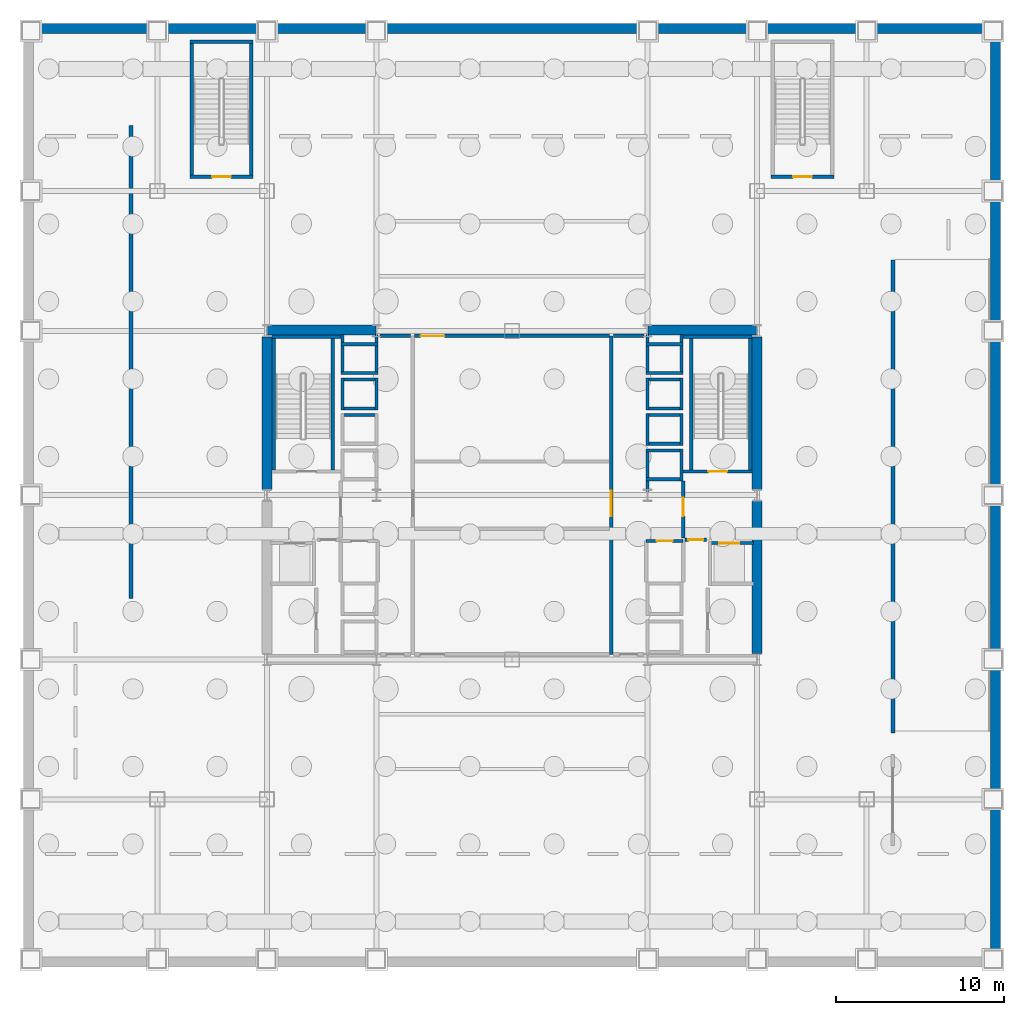
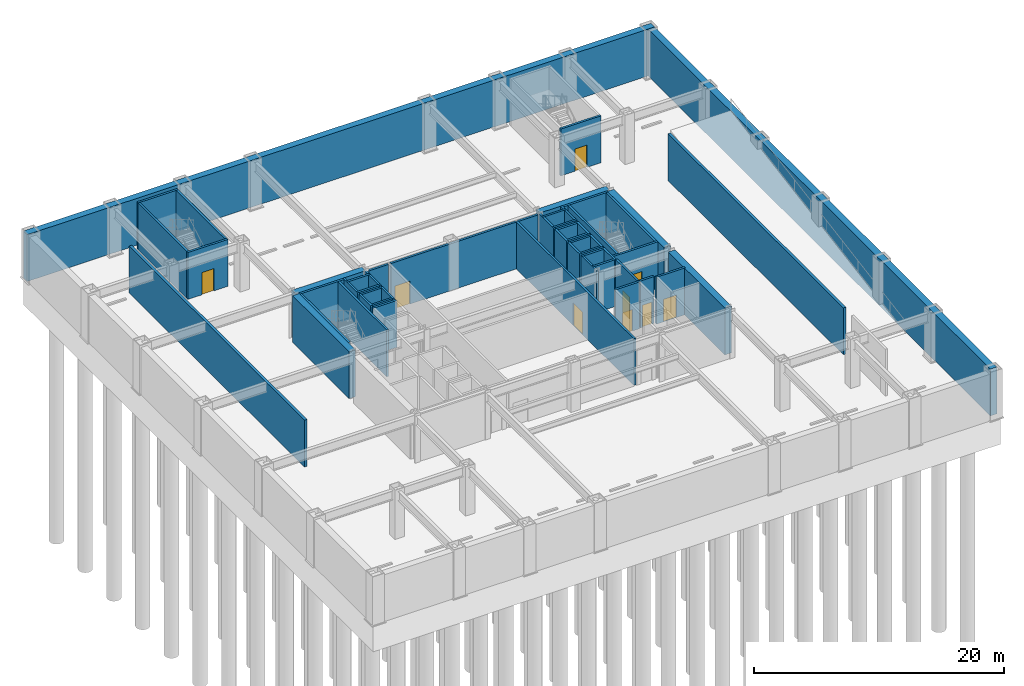
# One storey, part 4 of 8: 54 walls, 9 doors, 9 openings.
"""IFC4 building model written with IfcOpenShell, lengths in metres."""

from ifc_helpers import new_model, si_unit, direction, frame, frame_2d, origin, place, context, subcontext, project, spatial, rectangle, extrude, material, layer, layer_set, type_object, element, fill, save


model = new_model("IFC4")

# Units and contexts
model_context = context("Model", 3, precision=1e-05, world=origin(), true_north=direction((0.0, 1.0)))
body_context = subcontext(model_context, "Body", "Model", "MODEL_VIEW")
ifc_project = project(units=[si_unit("LENGTHUNIT", "METRE"), si_unit("AREAUNIT", "SQUARE_METRE"), si_unit("VOLUMEUNIT", "CUBIC_METRE"), si_unit("PLANEANGLEUNIT", "RADIAN"), si_unit("MASSUNIT", "GRAM", prefix="KILO")], contexts=[model_context])

# Site, building, storey
site_placement = place(None, origin())
site = spatial("IfcSite", under=ifc_project, at=site_placement, CompositionType="ELEMENT")
building_placement = place(site_placement, origin())
building = spatial("IfcBuilding", under=site, at=building_placement, Name="Brelmoor Portico Tower", CompositionType="ELEMENT")
storey_placement = place(building_placement, frame((0.0, 0.0, -9.60009765625)))
storey = spatial("IfcBuildingStorey", under=building, at=storey_placement, Name="B2", CompositionType="ELEMENT", Elevation=-9.60009765625)

# Walls
ifc_material_1 = material(Name="Concrete C60", Category="concrete")
ifc_layer_1 = layer(ifc_material_1, 0.60009765625)
ifc_layer_set_1 = layer_set([ifc_layer_1], Name="Concrete C60")
wall_type_1 = type_object("IfcWallType", Name="WL-CORE-600", PredefinedType="SHEAR", material=ifc_layer_set_1)
wall_1_placement = place(storey_placement, frame((-14.530029296875, 9.800048828125, 0.0), z_axis=(0.0, 0.0, 1.0), x_axis=(1.0, 0.0, 0.0)))
element("IfcWall", 1, at=wall_1_placement, inside=storey, type_object=wall_type_1, Name="B2 WC North Shear Wall", PredefinedType="SHEAR", context=body_context, shape_type="SweptSolid", body=[
    extrude(rectangle(XDim=6.4599609375, YDim=0.60009765625, at=frame_2d((3.22998046875, 0.0))), origin(), (0.0, 0.0, 1.0), 4.580078125),
])
wall_2_placement = place(storey_placement, frame((-14.550048828125, 0.35009765625, 0.0), z_axis=(0.0, 0.0, 1.0), x_axis=(0.0, 1.0, 0.0)))
element("IfcWall", 2, at=wall_2_placement, inside=storey, type_object=wall_type_1, Name="B2 WC Outer North Shear Wall", PredefinedType="SHEAR", context=body_context, shape_type="SweptSolid", body=[
    extrude(rectangle(XDim=9.0498046875, YDim=0.60009765625, at=frame_2d((4.52490234375, 0.0))), origin(), (0.0, 0.0, 1.0), 4.580078125),
])
wall_3_placement = place(storey_placement, frame((8.070068359375, 9.800048828125, 0.0), z_axis=(0.0, 0.0, 1.0), x_axis=(1.0, 0.0, 0.0)))
element("IfcWall", 3, at=wall_3_placement, inside=storey, type_object=wall_type_1, Name="B2 EC North Shear Wall", PredefinedType="SHEAR", context=body_context, shape_type="SweptSolid", body=[
    extrude(rectangle(XDim=6.4599609375, YDim=0.60009765625, at=frame_2d((3.22998046875, 0.0))), origin(), (0.0, 0.0, 1.0), 4.580078125),
])
for number, where, z_axis, x_axis, name in (
    (4, (14.550048828125, -9.39990234375, 0.0), (0.0, 0.0, 1.0), (0.0, 1.0, 0.0), "B2 EC Outer South Shear Wall"),
    (5, (14.550048828125, 0.35009765625, 0.0), (0.0, 0.0, 1.0), (0.0, 1.0, 0.0), "B2 EC Outer North Shear Wall"),
):
    element("IfcWall", number, at=place(storey_placement, frame(where, z_axis=z_axis, x_axis=x_axis)), inside=storey, type_object=wall_type_1, Name=name, PredefinedType="SHEAR", context=body_context, shape_type="SweptSolid", body=[
        extrude(rectangle(XDim=9.0498046875, YDim=0.60009765625, at=frame_2d((4.52490234375, 0.0))), origin(), (0.0, 0.0, 1.0), 4.580078125),
    ])
ifc_material_2 = material(Name="Double-Stud Gypsum Fire Partition", Category="gypsum")
ifc_layer_2 = layer(ifc_material_2, 0.199951171875)
ifc_layer_set_2 = layer_set([ifc_layer_2], Name="Double-Stud Gypsum Fire Partition")
wall_type_2 = type_object("IfcWallType", Name="WL-PART-200", PredefinedType="PARTITIONING", material=ifc_layer_set_2)
wall_4_placement = place(storey_placement, frame((-6.02001953125, 9.449951171875, 0.0), z_axis=(0.0, 0.0, 1.0), x_axis=(-1.0, 0.0, 0.0)))
element("IfcWall", 6, at=wall_4_placement, inside=storey, type_object=wall_type_2, Name="B2 W Lift Lobby North End Wall", PredefinedType="PARTITIONING", context=body_context, shape_type="SweptSolid", body=[
    extrude(rectangle(XDim=1.800048828125, YDim=0.199951171875, at=frame_2d((0.89990234375, 0.0))), origin(), (0.0, 0.0, 1.0), 4.580078125),
])

# Wall, opening, door
wall_5_placement = place(storey_placement, frame((5.89990234375, -9.449951171875, 0.0), z_axis=(0.0, 0.0, 1.0), x_axis=(0.0, 1.0, 0.0)))
wall_5 = element("IfcWall", 7, at=wall_5_placement, inside=storey, type_object=wall_type_2, Name="B2 E Core Lobby Compartment Wall", PredefinedType="PARTITIONING", context=body_context, shape_type="SweptSolid", body=[
    extrude(rectangle(XDim=18.89990234375, YDim=0.199951171875, at=frame_2d((9.449951171875, 0.0))), origin(), (0.0, 0.0, 1.0), 4.580078125),
])
opening_1_placement = place(wall_5_placement, frame((8.199951171875, 0.0, 0.0)))
opening_1 = element("IfcOpeningElement", 8, at=opening_1_placement, cuts=wall_5, Name="Opening D-LB1", PredefinedType="OPENING", context=body_context, shape_type="SweptSolid", body=[
    extrude(rectangle(XDim=1.5, YDim=2.199951171875, at=frame_2d((0.75, 1.10009765625))), frame((0.0, 0.10986328125, 0.0), z_axis=(0.0, -1.0, 0.0), x_axis=(1.0, 0.0, 0.0)), (0.0, 0.0, 1.0), 0.219970703125),
])
ifc_material_3 = material(Name="Double-Leaf Glazed Steel Fire Door", Category="steel")
door_type_1 = type_object("IfcDoorType", Name="DR-LOBBY-1500", OperationType="NOTDEFINED", PredefinedType="DOOR", material=ifc_material_3)
door_1_placement = place(opening_1_placement, origin())
door_1 = element("IfcDoor", 9, at=door_1_placement, inside=storey, type_object=door_type_1, Name="D-0013 B2 E Lift Lobby Main Door", OperationType="DOUBLE_DOOR_SINGLE_SWING", OverallHeight=2.199951171875, OverallWidth=1.5, PredefinedType="DOOR", context=body_context, shape_type="SweptSolid", body=[
    extrude(rectangle(XDim=1.5, YDim=2.199951171875, at=frame_2d((0.75, 1.10009765625))), frame((0.0, 0.02490234375, 0.0), z_axis=(0.0, -1.0, 0.0), x_axis=(1.0, 0.0, 0.0)), (0.0, 0.0, 1.0), 0.050048828125),
])
fill(opening_1, door_1)

# Wall
wall_6_placement = place(storey_placement, frame((6.02001953125, 9.449951171875, 0.0), z_axis=(0.0, 0.0, 1.0), x_axis=(1.0, 0.0, 0.0)))
element("IfcWall", 10, at=wall_6_placement, inside=storey, type_object=wall_type_2, Name="B2 E Lift Lobby North End Wall", PredefinedType="PARTITIONING", context=body_context, shape_type="SweptSolid", body=[
    extrude(rectangle(XDim=1.800048828125, YDim=0.199951171875, at=frame_2d((0.89990234375, 0.0))), origin(), (0.0, 0.0, 1.0), 4.580078125),
])

# Wall, opening, door
wall_7_placement = place(storey_placement, frame((10.159912109375, -2.550048828125, 0.0), z_axis=(0.0, 0.0, 1.0), x_axis=(0.0, 1.0, 0.0)))
wall_7 = element("IfcWall", 11, at=wall_7_placement, inside=storey, type_object=wall_type_2, Name="B2 E Firefighting Lobby Wall", PredefinedType="PARTITIONING", context=body_context, shape_type="SweptSolid", body=[
    extrude(rectangle(XDim=3.400146484375, YDim=0.199951171875, at=frame_2d((1.7001953125, 0.0))), origin(), (0.0, 0.0, 1.0), 4.580078125),
])
opening_2_placement = place(wall_7_placement, frame((1.300048828125, 0.0, 0.0)))
opening_2 = element("IfcOpeningElement", 12, at=opening_2_placement, cuts=wall_7, Name="Opening D-FR1", PredefinedType="OPENING", context=body_context, shape_type="SweptSolid", body=[
    extrude(rectangle(XDim=1.10009765625, YDim=2.14990234375, at=frame_2d((0.550048828125, 1.074951171875))), frame((0.0, 0.10986328125, 0.0), z_axis=(0.0, -1.0, 0.0), x_axis=(1.0, 0.0, 0.0)), (0.0, 0.0, 1.0), 0.219970703125),
])
ifc_material_4 = material(Name="Painted Galvanised Steel Fire Door", Category="steel")
door_type_2 = type_object("IfcDoorType", Name="DR-FIRE-1100", OperationType="NOTDEFINED", PredefinedType="DOOR", material=ifc_material_4)
door_2_placement = place(opening_2_placement, origin())
door_2 = element("IfcDoor", 13, at=door_2_placement, inside=storey, type_object=door_type_2, Name="D-0009 B2 E Firefighting Lobby Door", OperationType="SINGLE_SWING_RIGHT", OverallHeight=2.14990234375, OverallWidth=1.10009765625, PredefinedType="DOOR", context=body_context, shape_type="SweptSolid", body=[
    extrude(rectangle(XDim=1.10009765625, YDim=2.14990234375, at=frame_2d((0.550048828125, 1.074951171875))), frame((0.0, 0.02490234375, 0.0), z_axis=(0.0, -1.0, 0.0), x_axis=(1.0, 0.0, 0.0)), (0.0, 0.0, 1.0), 0.050048828125),
])
fill(opening_2, door_2)

wall_8_placement = place(storey_placement, frame((10.280029296875, -2.64990234375, 0.0), z_axis=(0.0, 0.0, 1.0), x_axis=(1.0, 0.0, 0.0)))
wall_8 = element("IfcWall", 14, at=wall_8_placement, inside=storey, type_object=wall_type_2, Name="B2 E Firefighting Lobby South Wall", PredefinedType="PARTITIONING", context=body_context, shape_type="SweptSolid", body=[
    extrude(rectangle(XDim=1.27001953125, YDim=0.199951171875, at=frame_2d((0.635009765625, 0.0))), origin(), (0.0, 0.0, 1.0), 4.580078125),
])
opening_3_placement = place(wall_8_placement, frame((0.18505859375, 0.0, 0.0)))
opening_3 = element("IfcOpeningElement", 15, at=opening_3_placement, cuts=wall_8, Name="Opening D-IN1", PredefinedType="OPENING", context=body_context, shape_type="SweptSolid", body=[
    extrude(rectangle(XDim=0.89990234375, YDim=2.14990234375, at=frame_2d((0.449951171875, 1.074951171875))), frame((0.0, 0.10986328125, 0.0), z_axis=(0.0, -1.0, 0.0), x_axis=(1.0, 0.0, 0.0)), (0.0, 0.0, 1.0), 0.219970703125),
])
ifc_material_5 = material(Name="Lacquered Timber Suite Door", Category="wood")
door_type_3 = type_object("IfcDoorType", Name="DR-INT-900", OperationType="NOTDEFINED", PredefinedType="DOOR", material=ifc_material_5)
door_3_placement = place(opening_3_placement, origin())
door_3 = element("IfcDoor", 16, at=door_3_placement, inside=storey, type_object=door_type_3, Name="D-0005 B2 E Core Service Vestibule Door", OperationType="SINGLE_SWING_LEFT", OverallHeight=2.14990234375, OverallWidth=0.89990234375, PredefinedType="DOOR", context=body_context, shape_type="SweptSolid", body=[
    extrude(rectangle(XDim=0.89990234375, YDim=2.14990234375, at=frame_2d((0.449951171875, 1.074951171875))), frame((0.0, 0.02490234375, 0.0), z_axis=(0.0, -1.0, 0.0), x_axis=(1.0, 0.0, 0.0)), (0.0, 0.0, 1.0), 0.050048828125),
])
fill(opening_3, door_3)

wall_9_placement = place(storey_placement, frame((7.9599609375, -2.719970703125, 0.0), z_axis=(0.0, 0.0, 1.0), x_axis=(1.0, 0.0, 0.0)))
wall_9 = element("IfcWall", 17, at=wall_9_placement, inside=storey, type_object=wall_type_2, Name="B2 E Electrical Switchgear Closet Wall", PredefinedType="PARTITIONING", context=body_context, shape_type="SweptSolid", body=[
    extrude(rectangle(XDim=2.199951171875, YDim=0.199951171875, at=frame_2d((1.10009765625, 0.0))), origin(), (0.0, 0.0, 1.0), 4.580078125),
])
opening_4_placement = place(wall_9_placement, frame((0.6201171875, 0.0, 0.0)))
opening_4 = element("IfcOpeningElement", 18, at=opening_4_placement, cuts=wall_9, Name="Opening D-FR4", PredefinedType="OPENING", context=body_context, shape_type="SweptSolid", body=[
    extrude(rectangle(XDim=0.949951171875, YDim=2.10009765625, at=frame_2d((0.47509765625, 1.050048828125))), frame((0.0, 0.10986328125, 0.0), z_axis=(0.0, -1.0, 0.0), x_axis=(1.0, 0.0, 0.0)), (0.0, 0.0, 1.0), 0.219970703125),
])
ifc_material_6 = material(Name="Painted Galvanised Steel Riser Door", Category="steel")
door_type_4 = type_object("IfcDoorType", Name="DR-FIRE-950", OperationType="NOTDEFINED", PredefinedType="DOOR", material=ifc_material_6)
door_4_placement = place(opening_4_placement, origin())
door_4 = element("IfcDoor", 19, at=door_4_placement, inside=storey, type_object=door_type_4, Name="D-0007 B2 E Electrical Switchgear Closet Door", OperationType="SINGLE_SWING_RIGHT", OverallHeight=2.10009765625, OverallWidth=0.949951171875, PredefinedType="DOOR", context=body_context, shape_type="SweptSolid", body=[
    extrude(rectangle(XDim=0.949951171875, YDim=2.10009765625, at=frame_2d((0.47509765625, 1.050048828125))), frame((0.0, 0.02490234375, 0.0), z_axis=(0.0, -1.0, 0.0), x_axis=(1.0, 0.0, 0.0)), (0.0, 0.0, 1.0), 0.050048828125),
])
fill(opening_4, door_4)

wall_10_placement = place(storey_placement, frame((-5.800048828125, 9.449951171875, 0.0), z_axis=(0.0, 0.0, 1.0), x_axis=(1.0, 0.0, 0.0)))
wall_10 = element("IfcWall", 20, at=wall_10_placement, inside=storey, type_object=wall_type_2, Name="B2 Switchroom Loop Wall", PredefinedType="PARTITIONING", context=body_context, shape_type="SweptSolid", body=[
    extrude(rectangle(XDim=11.60009765625, YDim=0.199951171875, at=frame_2d((5.800048828125, 0.0))), origin(), (0.0, 0.0, 1.0), 4.580078125),
])
opening_5_placement = place(wall_10_placement, frame((0.3798828125, 0.0, 0.0)))
opening_5 = element("IfcOpeningElement", 21, at=opening_5_placement, cuts=wall_10, Name="Opening D-PL1", PredefinedType="OPENING", context=body_context, shape_type="SweptSolid", body=[
    extrude(rectangle(XDim=1.39990234375, YDim=2.25, at=frame_2d((0.699951171875, 1.125))), frame((0.0, 0.10986328125, 0.0), z_axis=(0.0, -1.0, 0.0), x_axis=(1.0, 0.0, 0.0)), (0.0, 0.0, 1.0), 0.219970703125),
])
ifc_material_7 = material(Name="Double-Leaf Acoustic Steel Plant Door", Category="steel")
door_type_5 = type_object("IfcDoorType", Name="DR-PLANT-1400", OperationType="NOTDEFINED", PredefinedType="DOOR", material=ifc_material_7)
door_5_placement = place(opening_5_placement, origin())
door_5 = element("IfcDoor", 22, at=door_5_placement, inside=storey, type_object=door_type_5, Name="D-0001 B2 Switchroom Door", OperationType="DOUBLE_DOOR_SINGLE_SWING", OverallHeight=2.25, OverallWidth=1.39990234375, PredefinedType="DOOR", context=body_context, shape_type="SweptSolid", body=[
    extrude(rectangle(XDim=1.39990234375, YDim=2.25, at=frame_2d((0.699951171875, 1.125))), frame((0.0, 0.02490234375, 0.0), z_axis=(0.0, -1.0, 0.0), x_axis=(1.0, 0.0, 0.0)), (0.0, 0.0, 1.0), 0.050048828125),
])
fill(opening_5, door_5)

# Walls
ifc_material_8 = material(Name="Concrete C50", Category="concrete")
ifc_layer_3 = layer(ifc_material_8, 0.60009765625)
ifc_layer_set_3 = layer_set([ifc_layer_3], Name="Concrete C50")
wall_type_3 = type_object("IfcWallType", Name="WL-RET-600", PredefinedType="STANDARD", material=ifc_layer_set_3)
wall_11_placement = place(storey_placement, frame((-29.0, 27.699951171875, 0.0), z_axis=(0.0, 0.0, 1.0), x_axis=(1.0, 0.0, 0.0)))
element("IfcWall", 23, at=wall_11_placement, inside=storey, type_object=wall_type_3, Name="B2 Basement Retaining Wall N", PredefinedType="STANDARD", context=body_context, shape_type="SweptSolid", body=[
    extrude(rectangle(XDim=58.0, YDim=0.60009765625, at=frame_2d((29.0, 0.0))), origin(), (0.0, 0.0, 1.0), 4.580078125),
])
wall_12_placement = place(storey_placement, frame((28.699951171875, -27.39990234375, 0.0), z_axis=(0.0, 0.0, 1.0), x_axis=(0.0, 1.0, 0.0)))
element("IfcWall", 24, at=wall_12_placement, inside=storey, type_object=wall_type_3, Name="B2 Basement Retaining Wall E", PredefinedType="STANDARD", context=body_context, shape_type="SweptSolid", body=[
    extrude(rectangle(XDim=54.7998046875, YDim=0.60009765625, at=frame_2d((27.39990234375, 0.0))), origin(), (0.0, 0.0, 1.0), 4.580078125),
])
ifc_material_9 = material(Name="Precast Concrete C40", Category="concrete")
ifc_layer_4 = layer(ifc_material_9, 0.18994140625)
ifc_layer_set_4 = layer_set([ifc_layer_4], Name="Precast Concrete C40")
wall_type_4 = type_object("IfcWallType", Name="WL-SHAFT-180", PredefinedType="SOLIDWALL", material=ifc_layer_set_4)
wall_13_placement = place(storey_placement, frame((-10.14990234375, 4.7548828125, 0.0), z_axis=(0.0, 0.0, 1.0), x_axis=(1.0, 0.0, 0.0)))
element("IfcWall", 25, at=wall_13_placement, inside=storey, type_object=wall_type_4, Name="B2 Lift PL2 Hoistway North Wall", PredefinedType="SOLIDWALL", context=body_context, shape_type="SweptSolid", body=[
    extrude(rectangle(XDim=2.199951171875, YDim=0.18994140625, at=frame_2d((1.10009765625, 0.0))), origin(), (0.0, 0.0, 1.0), 4.580078125),
])
for number, where, z_axis, x_axis, name in (
    (26, (-8.044921875, 5.050048828125, 0.0), (0.0, 0.0, 1.0), (0.0, 1.0, 0.0), "B2 Lift PL3 Hoistway Front Wall"),
    (27, (-10.054931640625, 5.050048828125, 0.0), (0.0, 0.0, 1.0), (0.0, 1.0, 0.0), "B2 Lift PL3 Hoistway Back Wall"),
):
    element("IfcWall", number, at=place(storey_placement, frame(where, z_axis=z_axis, x_axis=x_axis)), inside=storey, type_object=wall_type_4, Name=name, PredefinedType="SOLIDWALL", context=body_context, shape_type="SweptSolid", body=[
        extrude(rectangle(XDim=1.89990234375, YDim=0.18994140625, at=frame_2d((0.949951171875, 0.0))), origin(), (0.0, 0.0, 1.0), 4.580078125),
    ])
for number, where, z_axis, x_axis, name in (
    (28, (-10.14990234375, 6.85498046875, 0.0), (0.0, 0.0, 1.0), (1.0, 0.0, 0.0), "B2 Lift PL3 Hoistway North Wall"),
    (29, (-10.14990234375, 5.14501953125, 0.0), (0.0, 0.0, 1.0), (1.0, 0.0, 0.0), "B2 Lift PL3 Hoistway South Wall"),
):
    element("IfcWall", number, at=place(storey_placement, frame(where, z_axis=z_axis, x_axis=x_axis)), inside=storey, type_object=wall_type_4, Name=name, PredefinedType="SOLIDWALL", context=body_context, shape_type="SweptSolid", body=[
        extrude(rectangle(XDim=2.199951171875, YDim=0.18994140625, at=frame_2d((1.10009765625, 0.0))), origin(), (0.0, 0.0, 1.0), 4.580078125),
    ])
for number, where, z_axis, x_axis, name in (
    (30, (-8.044921875, 7.14990234375, 0.0), (0.0, 0.0, 1.0), (0.0, 1.0, 0.0), "B2 Lift PL4 Hoistway Front Wall"),
    (31, (-10.054931640625, 7.14990234375, 0.0), (0.0, 0.0, 1.0), (0.0, 1.0, 0.0), "B2 Lift PL4 Hoistway Back Wall"),
):
    element("IfcWall", number, at=place(storey_placement, frame(where, z_axis=z_axis, x_axis=x_axis)), inside=storey, type_object=wall_type_4, Name=name, PredefinedType="SOLIDWALL", context=body_context, shape_type="SweptSolid", body=[
        extrude(rectangle(XDim=2.3701171875, YDim=0.18994140625, at=frame_2d((1.18505859375, 0.0))), origin(), (0.0, 0.0, 1.0), 4.580078125),
    ])
for number, where, z_axis, x_axis, name in (
    (32, (-10.14990234375, 8.955078125, 0.0), (0.0, 0.0, 1.0), (1.0, 0.0, 0.0), "B2 Lift PL4 Hoistway North Wall"),
    (33, (-10.14990234375, 7.2451171875, 0.0), (0.0, 0.0, 1.0), (1.0, 0.0, 0.0), "B2 Lift PL4 Hoistway South Wall"),
):
    element("IfcWall", number, at=place(storey_placement, frame(where, z_axis=z_axis, x_axis=x_axis)), inside=storey, type_object=wall_type_4, Name=name, PredefinedType="SOLIDWALL", context=body_context, shape_type="SweptSolid", body=[
        extrude(rectangle(XDim=2.199951171875, YDim=0.18994140625, at=frame_2d((1.10009765625, 0.0))), origin(), (0.0, 0.0, 1.0), 4.580078125),
    ])
wall_14_placement = place(storey_placement, frame((8.044921875, 0.2099609375, 0.0), z_axis=(0.0, 0.0, 1.0), x_axis=(0.0, 1.0, 0.0)))
element("IfcWall", 34, at=wall_14_placement, inside=storey, type_object=wall_type_4, Name="B2 Lift PM1 Hoistway Front Wall", PredefinedType="SOLIDWALL", context=body_context, shape_type="SweptSolid", body=[
    extrude(rectangle(XDim=2.5400390625, YDim=0.18994140625, at=frame_2d((1.27001953125, 0.0))), origin(), (0.0, 0.0, 1.0), 4.580078125),
])
wall_15_placement = place(storey_placement, frame((10.054931640625, 0.85009765625, 0.0), z_axis=(0.0, 0.0, 1.0), x_axis=(0.0, 1.0, 0.0)))
element("IfcWall", 35, at=wall_15_placement, inside=storey, type_object=wall_type_4, Name="B2 Lift PM1 Hoistway Back Wall", PredefinedType="SOLIDWALL", context=body_context, shape_type="SweptSolid", body=[
    extrude(rectangle(XDim=1.89990234375, YDim=0.18994140625, at=frame_2d((0.949951171875, 0.0))), origin(), (0.0, 0.0, 1.0), 4.580078125),
])
for number, where, z_axis, x_axis, name in (
    (36, (7.949951171875, 2.655029296875, 0.0), (0.0, 0.0, 1.0), (1.0, 0.0, 0.0), "B2 Lift PM1 Hoistway North Wall"),
    (37, (7.949951171875, 0.945068359375, 0.0), (0.0, 0.0, 1.0), (1.0, 0.0, 0.0), "B2 Lift PM1 Hoistway South Wall"),
):
    element("IfcWall", number, at=place(storey_placement, frame(where, z_axis=z_axis, x_axis=x_axis)), inside=storey, type_object=wall_type_4, Name=name, PredefinedType="SOLIDWALL", context=body_context, shape_type="SweptSolid", body=[
        extrude(rectangle(XDim=2.199951171875, YDim=0.18994140625, at=frame_2d((1.10009765625, 0.0))), origin(), (0.0, 0.0, 1.0), 4.580078125),
    ])
for number, where, z_axis, x_axis, name in (
    (38, (8.044921875, 2.949951171875, 0.0), (0.0, 0.0, 1.0), (0.0, 1.0, 0.0), "B2 Lift PM2 Hoistway Front Wall"),
    (39, (10.054931640625, 2.949951171875, 0.0), (0.0, 0.0, 1.0), (0.0, 1.0, 0.0), "B2 Lift PM2 Hoistway Back Wall"),
):
    element("IfcWall", number, at=place(storey_placement, frame(where, z_axis=z_axis, x_axis=x_axis)), inside=storey, type_object=wall_type_4, Name=name, PredefinedType="SOLIDWALL", context=body_context, shape_type="SweptSolid", body=[
        extrude(rectangle(XDim=1.900146484375, YDim=0.18994140625, at=frame_2d((0.9501953125, 0.0))), origin(), (0.0, 0.0, 1.0), 4.580078125),
    ])
for number, where, z_axis, x_axis, name in (
    (40, (7.949951171875, 4.7548828125, 0.0), (0.0, 0.0, 1.0), (1.0, 0.0, 0.0), "B2 Lift PM2 Hoistway North Wall"),
    (41, (7.949951171875, 3.044921875, 0.0), (0.0, 0.0, 1.0), (1.0, 0.0, 0.0), "B2 Lift PM2 Hoistway South Wall"),
):
    element("IfcWall", number, at=place(storey_placement, frame(where, z_axis=z_axis, x_axis=x_axis)), inside=storey, type_object=wall_type_4, Name=name, PredefinedType="SOLIDWALL", context=body_context, shape_type="SweptSolid", body=[
        extrude(rectangle(XDim=2.199951171875, YDim=0.18994140625, at=frame_2d((1.10009765625, 0.0))), origin(), (0.0, 0.0, 1.0), 4.580078125),
    ])
for number, where, z_axis, x_axis, name in (
    (42, (8.044921875, 5.050048828125, 0.0), (0.0, 0.0, 1.0), (0.0, 1.0, 0.0), "B2 Lift PM3 Hoistway Front Wall"),
    (43, (10.054931640625, 5.050048828125, 0.0), (0.0, 0.0, 1.0), (0.0, 1.0, 0.0), "B2 Lift PM3 Hoistway Back Wall"),
):
    element("IfcWall", number, at=place(storey_placement, frame(where, z_axis=z_axis, x_axis=x_axis)), inside=storey, type_object=wall_type_4, Name=name, PredefinedType="SOLIDWALL", context=body_context, shape_type="SweptSolid", body=[
        extrude(rectangle(XDim=1.89990234375, YDim=0.18994140625, at=frame_2d((0.949951171875, 0.0))), origin(), (0.0, 0.0, 1.0), 4.580078125),
    ])
for number, where, z_axis, x_axis, name in (
    (44, (7.949951171875, 6.85498046875, 0.0), (0.0, 0.0, 1.0), (1.0, 0.0, 0.0), "B2 Lift PM3 Hoistway North Wall"),
    (45, (7.949951171875, 5.14501953125, 0.0), (0.0, 0.0, 1.0), (1.0, 0.0, 0.0), "B2 Lift PM3 Hoistway South Wall"),
):
    element("IfcWall", number, at=place(storey_placement, frame(where, z_axis=z_axis, x_axis=x_axis)), inside=storey, type_object=wall_type_4, Name=name, PredefinedType="SOLIDWALL", context=body_context, shape_type="SweptSolid", body=[
        extrude(rectangle(XDim=2.199951171875, YDim=0.18994140625, at=frame_2d((1.10009765625, 0.0))), origin(), (0.0, 0.0, 1.0), 4.580078125),
    ])
for number, where, z_axis, x_axis, name in (
    (46, (8.044921875, 7.14990234375, 0.0), (0.0, 0.0, 1.0), (0.0, 1.0, 0.0), "B2 Lift PM4 Hoistway Front Wall"),
    (47, (10.054931640625, 7.14990234375, 0.0), (0.0, 0.0, 1.0), (0.0, 1.0, 0.0), "B2 Lift PM4 Hoistway Back Wall"),
):
    element("IfcWall", number, at=place(storey_placement, frame(where, z_axis=z_axis, x_axis=x_axis)), inside=storey, type_object=wall_type_4, Name=name, PredefinedType="SOLIDWALL", context=body_context, shape_type="SweptSolid", body=[
        extrude(rectangle(XDim=2.3701171875, YDim=0.18994140625, at=frame_2d((1.18505859375, 0.0))), origin(), (0.0, 0.0, 1.0), 4.580078125),
    ])
for number, where, z_axis, x_axis, name in (
    (48, (7.949951171875, 8.955078125, 0.0), (0.0, 0.0, 1.0), (1.0, 0.0, 0.0), "B2 Lift PM4 Hoistway North Wall"),
    (49, (7.949951171875, 7.2451171875, 0.0), (0.0, 0.0, 1.0), (1.0, 0.0, 0.0), "B2 Lift PM4 Hoistway South Wall"),
):
    element("IfcWall", number, at=place(storey_placement, frame(where, z_axis=z_axis, x_axis=x_axis)), inside=storey, type_object=wall_type_4, Name=name, PredefinedType="SOLIDWALL", context=body_context, shape_type="SweptSolid", body=[
        extrude(rectangle(XDim=2.199951171875, YDim=0.18994140625, at=frame_2d((1.10009765625, 0.0))), origin(), (0.0, 0.0, 1.0), 4.580078125),
    ])

# Wall, opening, door
wall_16_placement = place(storey_placement, frame((11.64990234375, -2.844970703125, 0.0), z_axis=(0.0, 0.0, 1.0), x_axis=(1.0, 0.0, 0.0)))
wall_16 = element("IfcWall", 50, at=wall_16_placement, inside=storey, type_object=wall_type_4, Name="B2 Lift FF2 Hoistway Front Wall", PredefinedType="SOLIDWALL", context=body_context, shape_type="SweptSolid", body=[
    extrude(rectangle(XDim=2.68017578125, YDim=0.18994140625, at=frame_2d((1.340087890625, 0.0))), origin(), (0.0, 0.0, 1.0), 4.580078125),
])
opening_6_placement = place(wall_16_placement, frame((0.64990234375, 0.0, 0.0)))
opening_6 = element("IfcOpeningElement", 51, at=opening_6_placement, cuts=wall_16, Name="Opening LD-02", PredefinedType="OPENING", context=body_context, shape_type="SweptSolid", body=[
    extrude(rectangle(XDim=1.199951171875, YDim=2.199951171875, at=frame_2d((0.60009765625, 1.10009765625))), frame((0.0, 0.10498046875, 0.0), z_axis=(0.0, -1.0, 0.0), x_axis=(1.0, 0.0, 0.0)), (0.0, 0.0, 1.0), 0.2099609375),
])
ifc_material_10 = material(Name="Brushed Stainless Steel Firefighting Lift Door", Category="steel")
door_type_6 = type_object("IfcDoorType", Name="DR-LIFT-1200", OperationType="NOTDEFINED", PredefinedType="DOOR", material=ifc_material_10)
door_6_placement = place(opening_6_placement, origin())
door_6 = element("IfcDoor", 52, at=door_6_placement, inside=storey, type_object=door_type_6, Name="D-0021 B2 Lift FF2 Sliding Landing Door", OperationType="SLIDING_TO_LEFT", OverallHeight=2.199951171875, OverallWidth=1.199951171875, PredefinedType="DOOR", context=body_context, shape_type="SweptSolid", body=[
    extrude(rectangle(XDim=1.199951171875, YDim=2.199951171875, at=frame_2d((0.60009765625, 1.10009765625))), frame((0.0, 0.02490234375, 0.0), z_axis=(0.0, -1.0, 0.0), x_axis=(1.0, 0.0, 0.0)), (0.0, 0.0, 1.0), 0.050048828125),
])
fill(opening_6, door_6)

# Walls
ifc_material_11 = material(Name="Concrete C40", Category="concrete")
ifc_layer_5 = layer(ifc_material_11, 0.199951171875)
ifc_layer_set_5 = layer_set([ifc_layer_5], Name="Concrete C40")
wall_type_5 = type_object("IfcWallType", Name="WL-SHAFT-RC200", PredefinedType="SOLIDWALL", material=ifc_layer_set_5)
for number, where, z_axis, x_axis, name in (
    (53, (-14.14990234375, 1.5, 0.0), (0.0, 0.0, 1.0), (0.0, 1.0, 0.0), "B2 ST-W Structural Stair Wall Outer"),
    (54, (14.14990234375, 1.5, 0.0), (0.0, 0.0, 1.0), (0.0, 1.0, 0.0), "B2 ST-E Structural Stair Wall Outer"),
):
    element("IfcWall", number, at=place(storey_placement, frame(where, z_axis=z_axis, x_axis=x_axis)), inside=storey, type_object=wall_type_5, Name=name, PredefinedType="SOLIDWALL", context=body_context, shape_type="SweptSolid", body=[
        extrude(rectangle(XDim=7.800048828125, YDim=0.199951171875, at=frame_2d((3.89990234375, 0.0))), origin(), (0.0, 0.0, 1.0), 4.580078125),
    ])
wall_17_placement = place(storey_placement, frame((-14.25, 9.39990234375, 0.0), z_axis=(0.0, 0.0, 1.0), x_axis=(1.0, 0.0, 0.0)))
element("IfcWall", 55, at=wall_17_placement, inside=storey, type_object=wall_type_5, Name="B2 ST-W Structural Stair Wall N", PredefinedType="SOLIDWALL", context=body_context, shape_type="SweptSolid", body=[
    extrude(rectangle(XDim=4.10009765625, YDim=0.199951171875, at=frame_2d((2.050048828125, 0.0))), origin(), (0.0, 0.0, 1.0), 4.580078125),
])
wall_18_placement = place(storey_placement, frame((-10.6298828125, 1.5, 0.0), z_axis=(0.0, 0.0, 1.0), x_axis=(0.0, 1.0, 0.0)))
element("IfcWall", 56, at=wall_18_placement, inside=storey, type_object=wall_type_5, Name="B2 ST-W Structural Stair Wall Inner", PredefinedType="SOLIDWALL", context=body_context, shape_type="SweptSolid", body=[
    extrude(rectangle(XDim=7.800048828125, YDim=0.199951171875, at=frame_2d((3.89990234375, 0.0))), origin(), (0.0, 0.0, 1.0), 4.580078125),
])

# Wall, opening, door
wall_19_placement = place(storey_placement, frame((10.14990234375, 1.39990234375, 0.0), z_axis=(0.0, 0.0, 1.0), x_axis=(1.0, 0.0, 0.0)))
wall_19 = element("IfcWall", 57, at=wall_19_placement, inside=storey, type_object=wall_type_5, Name="B2 ST-E Structural Stair Wall S", PredefinedType="SOLIDWALL", context=body_context, shape_type="SweptSolid", body=[
    extrude(rectangle(XDim=4.10009765625, YDim=0.199951171875, at=frame_2d((2.050048828125, 0.0))), origin(), (0.0, 0.0, 1.0), 4.580078125),
])
opening_7_placement = place(wall_19_placement, frame((1.5, 0.0, 0.0)))
opening_7 = element("IfcOpeningElement", 58, at=opening_7_placement, cuts=wall_19, Name="Opening D-ST1", PredefinedType="OPENING", context=body_context, shape_type="SweptSolid", body=[
    extrude(rectangle(XDim=1.1201171875, YDim=2.179931640625, at=frame_2d((0.56005859375, 1.08984375))), frame((0.0, 0.10986328125, 0.0), z_axis=(0.0, -1.0, 0.0), x_axis=(1.0, 0.0, 0.0)), (0.0, 0.0, 1.0), 0.219970703125),
])
door_type_7 = type_object("IfcDoorType", Name="DR-STAIR-1100", OperationType="NOTDEFINED", PredefinedType="DOOR", material=ifc_material_4)
door_7_placement = place(opening_7_placement, origin())
door_7 = element("IfcDoor", 59, at=door_7_placement, inside=storey, type_object=door_type_7, Name="D-0015 B2 ST-E Protected Exit Stair Door", OperationType="SINGLE_SWING_RIGHT", OverallHeight=2.179931640625, OverallWidth=1.1201171875, PredefinedType="DOOR", context=body_context, shape_type="SweptSolid", body=[
    extrude(rectangle(XDim=1.1201171875, YDim=2.179931640625, at=frame_2d((0.56005859375, 1.08984375))), frame((0.0, 0.02490234375, 0.0), z_axis=(0.0, -1.0, 0.0), x_axis=(1.0, 0.0, 0.0)), (0.0, 0.0, 1.0), 0.050048828125),
])
fill(opening_7, door_7)

# Walls
wall_20_placement = place(storey_placement, frame((10.14990234375, 9.39990234375, 0.0), z_axis=(0.0, 0.0, 1.0), x_axis=(1.0, 0.0, 0.0)))
element("IfcWall", 60, at=wall_20_placement, inside=storey, type_object=wall_type_5, Name="B2 ST-E Structural Stair Wall N", PredefinedType="SOLIDWALL", context=body_context, shape_type="SweptSolid", body=[
    extrude(rectangle(XDim=4.10009765625, YDim=0.199951171875, at=frame_2d((2.050048828125, 0.0))), origin(), (0.0, 0.0, 1.0), 4.580078125),
])
wall_21_placement = place(storey_placement, frame((10.6298828125, 1.5, 0.0), z_axis=(0.0, 0.0, 1.0), x_axis=(0.0, 1.0, 0.0)))
element("IfcWall", 61, at=wall_21_placement, inside=storey, type_object=wall_type_5, Name="B2 ST-E Structural Stair Wall Inner", PredefinedType="SOLIDWALL", context=body_context, shape_type="SweptSolid", body=[
    extrude(rectangle(XDim=7.800048828125, YDim=0.199951171875, at=frame_2d((3.89990234375, 0.0))), origin(), (0.0, 0.0, 1.0), 4.580078125),
])

# Wall, opening, door
wall_22_placement = place(storey_placement, frame((-19.10009765625, 18.89990234375, 0.0), z_axis=(0.0, 0.0, 1.0), x_axis=(1.0, 0.0, 0.0)))
wall_22 = element("IfcWall", 62, at=wall_22_placement, inside=storey, type_object=wall_type_5, Name="B2 ST-P1 Structural Stair Wall S", PredefinedType="SOLIDWALL", context=body_context, shape_type="SweptSolid", body=[
    extrude(rectangle(XDim=3.72021484375, YDim=0.199951171875, at=frame_2d((1.860107421875, 0.0))), origin(), (0.0, 0.0, 1.0), 4.580078125),
])
opening_8_placement = place(wall_22_placement, frame((1.300048828125, 0.0, 0.0)))
opening_8 = element("IfcOpeningElement", 63, at=opening_8_placement, cuts=wall_22, Name="Opening D-ST1", PredefinedType="OPENING", context=body_context, shape_type="SweptSolid", body=[
    extrude(rectangle(XDim=1.1201171875, YDim=2.179931640625, at=frame_2d((0.56005859375, 1.08984375))), frame((0.0, 0.10986328125, 0.0), z_axis=(0.0, -1.0, 0.0), x_axis=(1.0, 0.0, 0.0)), (0.0, 0.0, 1.0), 0.219970703125),
])
door_8_placement = place(opening_8_placement, origin())
door_8 = element("IfcDoor", 64, at=door_8_placement, inside=storey, type_object=door_type_7, Name="D-0016 B2 ST-P1 Podium Exit Stair Door", OperationType="SINGLE_SWING_LEFT", OverallHeight=2.179931640625, OverallWidth=1.1201171875, PredefinedType="DOOR", context=body_context, shape_type="SweptSolid", body=[
    extrude(rectangle(XDim=1.1201171875, YDim=2.179931640625, at=frame_2d((0.56005859375, 1.08984375))), frame((0.0, 0.02490234375, 0.0), z_axis=(0.0, -1.0, 0.0), x_axis=(1.0, 0.0, 0.0)), (0.0, 0.0, 1.0), 0.050048828125),
])
fill(opening_8, door_8)

# Walls
wall_23_placement = place(storey_placement, frame((-19.10009765625, 26.89990234375, 0.0), z_axis=(0.0, 0.0, 1.0), x_axis=(1.0, 0.0, 0.0)))
element("IfcWall", 65, at=wall_23_placement, inside=storey, type_object=wall_type_5, Name="B2 ST-P1 Structural Stair Wall N", PredefinedType="SOLIDWALL", context=body_context, shape_type="SweptSolid", body=[
    extrude(rectangle(XDim=3.72021484375, YDim=0.199951171875, at=frame_2d((1.860107421875, 0.0))), origin(), (0.0, 0.0, 1.0), 4.580078125),
])
for number, where, z_axis, x_axis, name in (
    (66, (-19.0, 19.0, 0.0), (0.0, 0.0, 1.0), (0.0, 1.0, 0.0), "B2 ST-P1 Structural Stair Wall W"),
    (67, (-15.47998046875, 19.0, 0.0), (0.0, 0.0, 1.0), (0.0, 1.0, 0.0), "B2 ST-P1 Structural Stair Wall E"),
):
    element("IfcWall", number, at=place(storey_placement, frame(where, z_axis=z_axis, x_axis=x_axis)), inside=storey, type_object=wall_type_5, Name=name, PredefinedType="SOLIDWALL", context=body_context, shape_type="SweptSolid", body=[
        extrude(rectangle(XDim=7.800048828125, YDim=0.199951171875, at=frame_2d((3.89990234375, 0.0))), origin(), (0.0, 0.0, 1.0), 4.580078125),
    ])

# Wall, opening, door
wall_24_placement = place(storey_placement, frame((15.3798828125, 18.89990234375, 0.0), z_axis=(0.0, 0.0, 1.0), x_axis=(1.0, 0.0, 0.0)))
wall_24 = element("IfcWall", 68, at=wall_24_placement, inside=storey, type_object=wall_type_5, Name="B2 ST-P2 Structural Stair Wall S", PredefinedType="SOLIDWALL", context=body_context, shape_type="SweptSolid", body=[
    extrude(rectangle(XDim=3.72021484375, YDim=0.199951171875, at=frame_2d((1.860107421875, 0.0))), origin(), (0.0, 0.0, 1.0), 4.580078125),
])
opening_9_placement = place(wall_24_placement, frame((1.300048828125, 0.0, 0.0)))
opening_9 = element("IfcOpeningElement", 69, at=opening_9_placement, cuts=wall_24, Name="Opening D-ST1", PredefinedType="OPENING", context=body_context, shape_type="SweptSolid", body=[
    extrude(rectangle(XDim=1.1201171875, YDim=2.179931640625, at=frame_2d((0.56005859375, 1.08984375))), frame((0.0, 0.10986328125, 0.0), z_axis=(0.0, -1.0, 0.0), x_axis=(1.0, 0.0, 0.0)), (0.0, 0.0, 1.0), 0.219970703125),
])
door_9_placement = place(opening_9_placement, origin())
door_9 = element("IfcDoor", 70, at=door_9_placement, inside=storey, type_object=door_type_7, Name="D-0017 B2 ST-P2 Podium Exit Stair Door", OperationType="SINGLE_SWING_RIGHT", OverallHeight=2.179931640625, OverallWidth=1.1201171875, PredefinedType="DOOR", context=body_context, shape_type="SweptSolid", body=[
    extrude(rectangle(XDim=1.1201171875, YDim=2.179931640625, at=frame_2d((0.56005859375, 1.08984375))), frame((0.0, 0.02490234375, 0.0), z_axis=(0.0, -1.0, 0.0), x_axis=(1.0, 0.0, 0.0)), (0.0, 0.0, 1.0), 0.050048828125),
])
fill(opening_9, door_9)

# Walls
ifc_layer_6 = layer(ifc_material_11, 0.239990234375)
ifc_layer_set_6 = layer_set([ifc_layer_6], Name="Concrete C40")
wall_type_6 = type_object("IfcWallType", Name="WL-SHAFT-RC240", PredefinedType="SOLIDWALL", material=ifc_layer_set_6)
for number, where, z_axis, x_axis, name in (
    (71, (22.60009765625, -14.1201171875, 0.0), (0.0, 0.0, 1.0), (0.0, 1.0, 0.0), "B2 Ramp VR-2 West Enclosure Wall"),
    (72, (-22.60009765625, -6.1201171875, 0.0), (0.0, 0.0, 1.0), (0.0, 1.0, 0.0), "B2 Ramp VR-1 East Enclosure Wall"),
):
    element("IfcWall", number, at=place(storey_placement, frame(where, z_axis=z_axis, x_axis=x_axis)), inside=storey, type_object=wall_type_6, Name=name, PredefinedType="SOLIDWALL", context=body_context, shape_type="SweptSolid", body=[
        extrude(rectangle(XDim=28.070068359375, YDim=0.239990234375, at=frame_2d((14.03515625, 0.0))), origin(), (0.0, 0.0, 1.0), 4.580078125),
    ])

save(model, "model.ifc")
